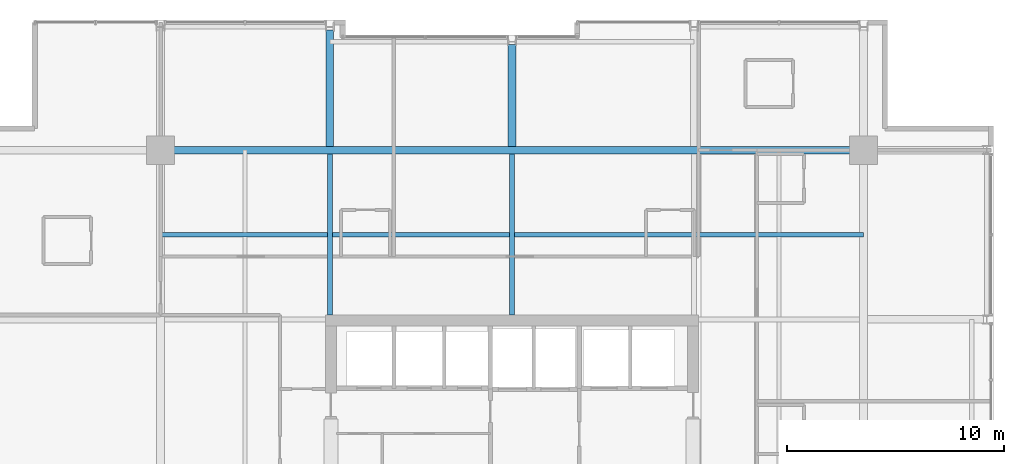
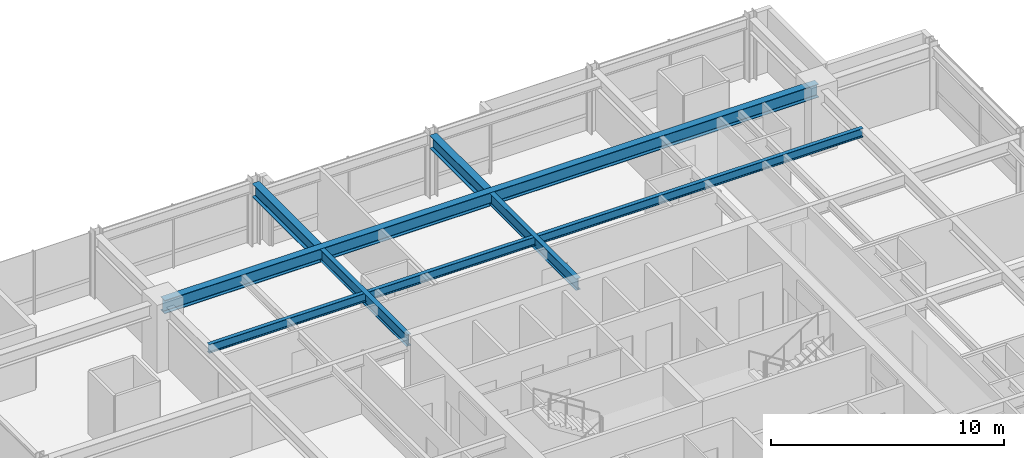
# One storey, part 20 of 33: 6 beams.
"""IFC4 building model written with IfcOpenShell, lengths in metres."""

from ifc_helpers import new_model, si_unit, direction, frame, origin, origin_2d, place, context, subcontext, project, spatial, i_section, extrude, material, material_profile, profile_set, type_object, element, save


model = new_model("IFC4")

# Units and contexts
model_context = context("Model", 3, precision=1e-05, world=origin(), true_north=direction((0.0, 1.0)))
body_context = subcontext(model_context, "Body", "Model", "MODEL_VIEW")
ifc_project = project(units=[si_unit("LENGTHUNIT", "METRE"), si_unit("AREAUNIT", "SQUARE_METRE"), si_unit("VOLUMEUNIT", "CUBIC_METRE"), si_unit("PLANEANGLEUNIT", "RADIAN"), si_unit("MASSUNIT", "GRAM", prefix="KILO")], contexts=[model_context])

# Site, building, storey
site_placement = place(None, origin())
site = spatial("IfcSite", under=ifc_project, at=site_placement, CompositionType="ELEMENT")
building_placement = place(site_placement, origin())
building = spatial("IfcBuilding", under=site, at=building_placement, Name="Drelvath Grand Hotel", CompositionType="ELEMENT")
storey_placement = place(building_placement, frame((0.0, 0.0, 168.14990234375)))
storey = spatial("IfcBuildingStorey", under=building, at=storey_placement, Name="L43", CompositionType="ELEMENT", Elevation=168.14990234375)

# Beams
ifc_material = material(Name="Steel ASTM A992 Gr 50", Category="steel")
ifc_material_profile_1 = material_profile(ifc_material, i_section(OverallWidth=0.19140625, OverallDepth=0.4599609375, WebThickness=0.010009765625, FlangeThickness=0.01611328125, FilletRadius=0.01611328125, at=origin_2d()), Name="W18X55")
ifc_profile_set_1 = profile_set([ifc_material_profile_1], Name="Steel ASTM A992 Gr 50")
beam_type_1 = type_object("IfcBeamType", Name="Composite Floor Joist W18X55", PredefinedType="JOIST", material=ifc_profile_set_1)
beam_1_placement = place(storey_placement, frame((-16.199951171875, 39.300048828125, 3.06005859375), z_axis=(1.0, 0.0, 0.0), x_axis=(0.0, 1.0, 0.0)))
element("IfcBeam", 1, at=beam_1_placement, inside=storey, type_object=beam_type_1, Name="L43 Floor Joist J2", PredefinedType="JOIST", context=body_context, shape_type="SweptSolid", body=[
    extrude(i_section(OverallWidth=0.19140625, OverallDepth=0.4599609375, WebThickness=0.010009765625, FlangeThickness=0.01611328125, FilletRadius=0.01611328125, at=origin_2d()), origin(), (0.0, 0.0, 1.0), 32.39990234375),
])
ifc_material_profile_2 = material_profile(ifc_material, i_section(OverallWidth=0.228271484375, OverallDepth=0.607666015625, WebThickness=0.01123046875, FlangeThickness=0.017333984375, FilletRadius=0.02001953125, at=origin_2d()), Name="W24X76")
ifc_profile_set_2 = profile_set([ifc_material_profile_2], Name="Steel ASTM A992 Gr 50")
beam_type_2 = type_object("IfcBeamType", Name="Primary Floor Girder W24X76", PredefinedType="BEAM", material=ifc_profile_set_2)
for number, where, z_axis, x_axis, name in (
    (2, (-8.39990234375, 35.60009765625, 2.986328125), (0.0, 1.0, 0.0), (-1.0, 0.0, 0.0), "L43 North Core Tie 4"),
    (3, (0.0, 35.60009765625, 2.986328125), (0.0, 1.0, 0.0), (-1.0, 0.0, 0.0), "L43 North Core Tie 5"),
):
    element("IfcBeam", number, at=place(storey_placement, frame(where, z_axis=z_axis, x_axis=x_axis)), inside=storey, type_object=beam_type_2, Name=name, PredefinedType="BEAM", context=body_context, shape_type="SweptSolid", body=[
        extrude(i_section(OverallWidth=0.228271484375, OverallDepth=0.607666015625, WebThickness=0.01123046875, FlangeThickness=0.017333984375, FilletRadius=0.02001953125, at=origin_2d()), origin(), (0.0, 0.0, 1.0), 7.422607421875),
    ])
ifc_material_profile_3 = material_profile(ifc_material, i_section(OverallWidth=0.354736328125, OverallDepth=0.695556640625, WebThickness=0.015380859375, FlangeThickness=0.025146484375, FilletRadius=0.02392578125, at=origin_2d()), Name="W27X146")
ifc_profile_set_3 = profile_set([ifc_material_profile_3], Name="Steel ASTM A992 Gr 50")
beam_type_3 = type_object("IfcBeamType", Name="Primary Floor Girder W27X146", PredefinedType="BEAM", material=ifc_profile_set_3)
beam_2_placement = place(storey_placement, frame((-16.199951171875, 43.199951171875, 2.9423828125), z_axis=(1.0, 0.0, 0.0), x_axis=(0.0, 1.0, 0.0)))
element("IfcBeam", 4, at=beam_2_placement, inside=storey, type_object=beam_type_3, Name="L43 Mega Ring Girder North", PredefinedType="BEAM", context=body_context, shape_type="SweptSolid", body=[
    extrude(i_section(OverallWidth=0.354736328125, OverallDepth=0.695556640625, WebThickness=0.015380859375, FlangeThickness=0.025146484375, FilletRadius=0.02392578125, at=origin_2d()), origin(), (0.0, 0.0, 1.0), 32.39990234375),
])
beam_3_placement = place(storey_placement, frame((-8.39990234375, 43.37744140625, 2.9423828125), z_axis=(0.0, 1.0, 0.0), x_axis=(-1.0, 0.0, 0.0)))
element("IfcBeam", 5, at=beam_3_placement, inside=storey, type_object=beam_type_3, Name="L43 North Wing Girder 4", PredefinedType="BEAM", context=body_context, shape_type="SweptSolid", body=[
    extrude(i_section(OverallWidth=0.354736328125, OverallDepth=0.695556640625, WebThickness=0.015380859375, FlangeThickness=0.025146484375, FilletRadius=0.02392578125, at=origin_2d()), origin(), (0.0, 0.0, 1.0), 5.362548828125),
])
beam_4_placement = place(storey_placement, frame((0.0, 43.37744140625, 2.9423828125), z_axis=(0.0, 1.0, 0.0), x_axis=(-1.0, 0.0, 0.0)))
element("IfcBeam", 6, at=beam_4_placement, inside=storey, type_object=beam_type_3, Name="L43 North Wing Girder 5", PredefinedType="BEAM", context=body_context, shape_type="SweptSolid", body=[
    extrude(i_section(OverallWidth=0.354736328125, OverallDepth=0.695556640625, WebThickness=0.015380859375, FlangeThickness=0.025146484375, FilletRadius=0.02392578125, at=origin_2d()), origin(), (0.0, 0.0, 1.0), 4.6826171875),
])

save(model, "model.ifc")
